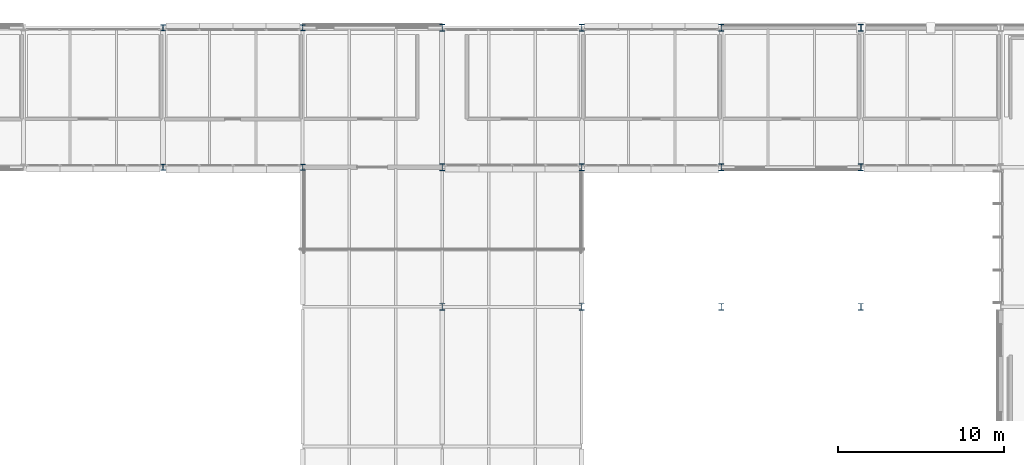
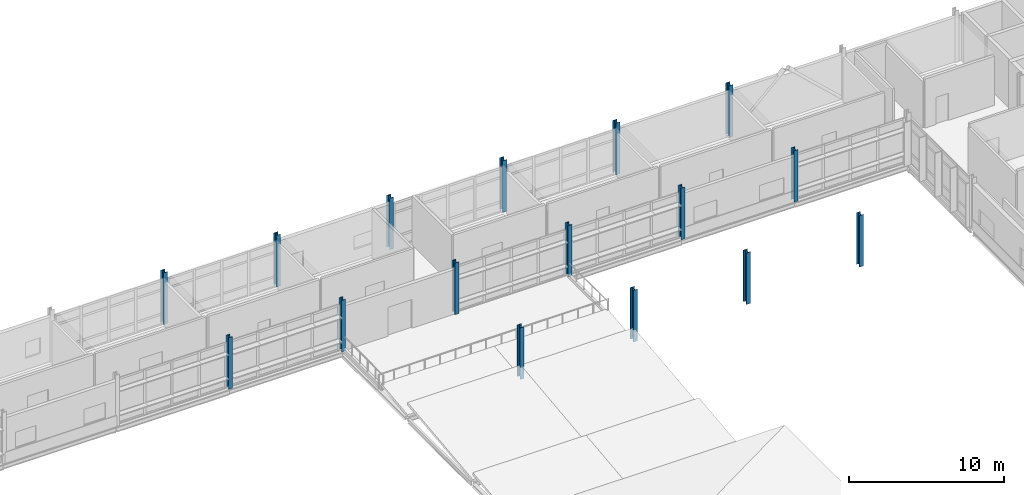
# One storey, part 2 of 66: 16 columns.
"""IFC4 building model written with IfcOpenShell, lengths in metres."""

from ifc_helpers import new_model, si_unit, direction, frame, origin, origin_2d, place, context, subcontext, project, spatial, i_section, extrude, material, material_profile, profile_set, type_object, element, save


model = new_model("IFC4")

# Units and contexts
model_context = context("Model", 3, precision=1e-05, world=origin(), true_north=direction((0.0, 1.0)))
body_context = subcontext(model_context, "Body", "Model", "MODEL_VIEW")
ifc_project = project(units=[si_unit("LENGTHUNIT", "METRE"), si_unit("AREAUNIT", "SQUARE_METRE"), si_unit("VOLUMEUNIT", "CUBIC_METRE"), si_unit("PLANEANGLEUNIT", "RADIAN"), si_unit("MASSUNIT", "GRAM", prefix="KILO")], contexts=[model_context])

# Site, building, storey
site_placement = place(None, origin())
site = spatial("IfcSite", under=ifc_project, at=site_placement, CompositionType="ELEMENT")
building_placement = place(site_placement, origin())
building = spatial("IfcBuilding", under=site, at=building_placement, Name="Mersafa Astral City Hall", CompositionType="ELEMENT")
storey_placement = place(building_placement, frame((0.0, 0.0, 22.050048828125)))
storey = spatial("IfcBuildingStorey", under=building, at=storey_placement, Name="L05", CompositionType="ELEMENT", Elevation=22.050048828125)

# Columns
ifc_material = material(Name="Steel S355", Category="steel")
ifc_material_profile_1 = material_profile(ifc_material, i_section(OverallWidth=0.300048828125, OverallDepth=0.340087890625, WebThickness=0.011962890625, FlangeThickness=0.021484375, FilletRadius=0.027099609375, at=origin_2d()), Name="HEB 340")
ifc_profile_set_1 = profile_set([ifc_material_profile_1], Name="Steel S355")
column_type_1 = type_object("IfcColumnType", Name="STR-COL-HEB340", PredefinedType="COLUMN", material=ifc_profile_set_1)
for number, where, z_axis, x_axis, name in (
    (1, (92.39990234375, 117.60009765625, 0.0), (0.0, 0.0, 1.0), (1.0, 0.0, 0.0), "L05 Structural column G-11-14"),
    (2, (100.800048828125, 126.0, 0.0), (0.0, 0.0, 1.0), (1.0, 0.0, 0.0), "L05 Structural column G-12-15"),
):
    element("IfcColumn", number, at=place(storey_placement, frame(where, z_axis=z_axis, x_axis=x_axis)), inside=storey, type_object=column_type_1, Name=name, PredefinedType="COLUMN", context=body_context, shape_type="SweptSolid", body=[
        extrude(i_section(OverallWidth=0.300048828125, OverallDepth=0.340087890625, WebThickness=0.011962890625, FlangeThickness=0.021484375, FilletRadius=0.027099609375, at=origin_2d()), origin(), (0.0, 0.0, 1.0), 4.050048828125),
    ])
ifc_material_profile_2 = material_profile(ifc_material, i_section(OverallWidth=0.300048828125, OverallDepth=0.360107421875, WebThickness=0.012451171875, FlangeThickness=0.0224609375, FilletRadius=0.027099609375, at=origin_2d()), Name="HEB 360")
ifc_profile_set_2 = profile_set([ifc_material_profile_2], Name="Steel S355")
column_type_2 = type_object("IfcColumnType", Name="STR-COL-HEB360", PredefinedType="COLUMN", material=ifc_profile_set_2)
for number, where, z_axis, x_axis, name in (
    (3, (92.39990234375, 126.0, 0.0), (0.0, 0.0, 1.0), (1.0, 0.0, 0.0), "L05 Structural column G-11-15"),
    (4, (100.800048828125, 117.60009765625, 0.0), (0.0, 0.0, 1.0), (1.0, 0.0, 0.0), "L05 Structural column G-12-14"),
):
    element("IfcColumn", number, at=place(storey_placement, frame(where, z_axis=z_axis, x_axis=x_axis)), inside=storey, type_object=column_type_2, Name=name, PredefinedType="COLUMN", context=body_context, shape_type="SweptSolid", body=[
        extrude(i_section(OverallWidth=0.300048828125, OverallDepth=0.360107421875, WebThickness=0.012451171875, FlangeThickness=0.0224609375, FilletRadius=0.027099609375, at=origin_2d()), origin(), (0.0, 0.0, 1.0), 4.050048828125),
    ])
ifc_material_profile_3 = material_profile(ifc_material, i_section(OverallWidth=0.300048828125, OverallDepth=0.39990234375, WebThickness=0.013427734375, FlangeThickness=0.02392578125, FilletRadius=0.027099609375, at=origin_2d()), Name="HEB 400")
ifc_profile_set_3 = profile_set([ifc_material_profile_3], Name="Steel S355")
column_type_3 = type_object("IfcColumnType", Name="STR-COL-HEB400", PredefinedType="COLUMN", material=ifc_profile_set_3)
for number, where, z_axis, x_axis, name in (
    (5, (109.199951171875, 109.199951171875, 0.0), (0.0, 0.0, 1.0), (1.0, 0.0, 0.0), "L05 Structural column G-13-13"),
    (6, (109.199951171875, 117.60009765625, 0.0), (0.0, 0.0, 1.0), (1.0, 0.0, 0.0), "L05 Structural column G-13-14"),
    (7, (109.199951171875, 126.0, 0.0), (0.0, 0.0, 1.0), (1.0, 0.0, 0.0), "L05 Structural column G-13-15"),
    (8, (117.60009765625, 109.199951171875, 0.0), (0.0, 0.0, 1.0), (1.0, 0.0, 0.0), "L05 Structural column G-14-13"),
    (9, (117.60009765625, 117.60009765625, 0.0), (0.0, 0.0, 1.0), (1.0, 0.0, 0.0), "L05 Structural column G-14-14"),
    (10, (117.60009765625, 126.0, 0.0), (0.0, 0.0, 1.0), (1.0, 0.0, 0.0), "L05 Structural column G-14-15"),
    (11, (126.0, 109.199951171875, 0.0), (0.0, 0.0, 1.0), (1.0, 0.0, 0.0), "L05 Structural column G-15-13"),
    (12, (126.0, 117.60009765625, 0.0), (0.0, 0.0, 1.0), (1.0, 0.0, 0.0), "L05 Structural column G-15-14"),
    (13, (126.0, 126.0, 0.0), (0.0, 0.0, 1.0), (1.0, 0.0, 0.0), "L05 Structural column G-15-15"),
    (14, (134.39990234375, 109.199951171875, 0.0), (0.0, 0.0, 1.0), (1.0, 0.0, 0.0), "L05 Structural column G-16-13"),
    (15, (134.39990234375, 117.60009765625, 0.0), (0.0, 0.0, 1.0), (1.0, 0.0, 0.0), "L05 Structural column G-16-14"),
    (16, (134.39990234375, 126.0, 0.0), (0.0, 0.0, 1.0), (1.0, 0.0, 0.0), "L05 Structural column G-16-15"),
):
    element("IfcColumn", number, at=place(storey_placement, frame(where, z_axis=z_axis, x_axis=x_axis)), inside=storey, type_object=column_type_3, Name=name, PredefinedType="COLUMN", context=body_context, shape_type="SweptSolid", body=[
        extrude(i_section(OverallWidth=0.300048828125, OverallDepth=0.39990234375, WebThickness=0.013427734375, FlangeThickness=0.02392578125, FilletRadius=0.027099609375, at=origin_2d()), origin(), (0.0, 0.0, 1.0), 4.050048828125),
    ])

save(model, "model.ifc")
